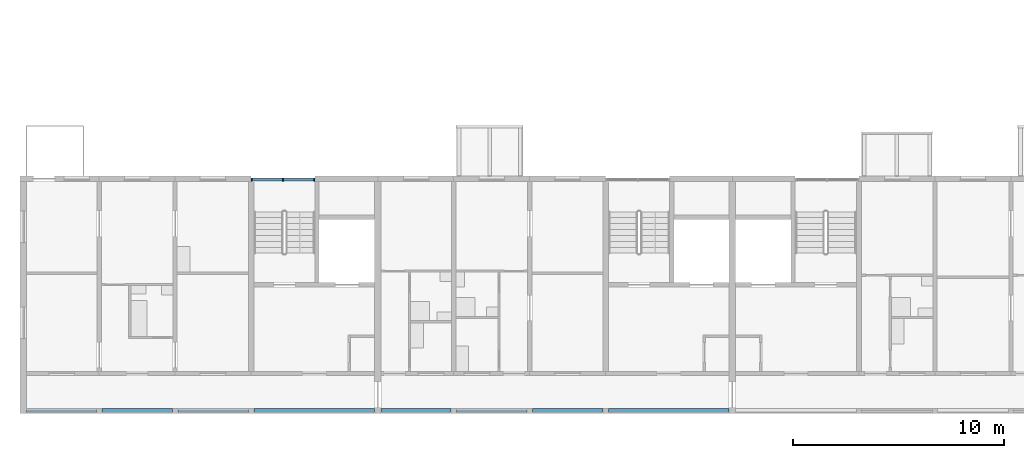
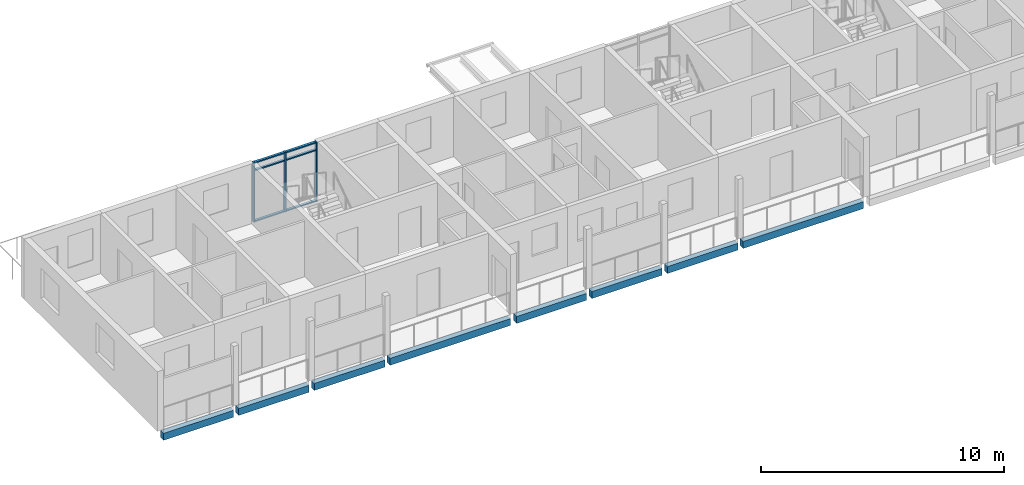
# One storey, part 5 of 94: 9 members, 8 beams, 1 element without a shape of its own.
"""IFC4 building model written with IfcOpenShell, lengths in metres."""

import ifcopenshell
import ifcopenshell.guid

model = None  # the IFC model being written
_history = None  # IfcOwnerHistory: only IFC2X3 demands one
_inside = {}  # id of a spatial element -> (the spatial element, [elements in it])
_under = {}  # id of a project, library or spatial element -> (it, [spatial elements below it])
_declared = {}  # id of a project -> (the project, [libraries it declares])
_typed = {}  # id of a type object -> (the type object, [elements of that type])
_made_of = {}  # id of a material, layer set ... -> (it, [elements and type objects made of it])


def new_model(schema):
    """Start an empty IFC model of exactly this schema.

    Asked for "IFC4X3", IfcOpenShell would pick the latest addendum, in which some entities
    have other attributes; the version numbers below select the first issue.
    IFC2X3 requires an IfcOwnerHistory on every rooted entity: one is made here for all.
    """
    global model, _history
    if schema == "IFC4X3":
        model = ifcopenshell.file(schema_version=(4, 3, 0, 0))
    else:
        model = ifcopenshell.file(schema=schema)
    _inside.clear()
    _under.clear()
    _declared.clear()
    _typed.clear()
    _made_of.clear()
    _history = None
    if model.schema == "IFC2X3":
        org = make("IfcOrganization", Name="unknown")
        user = make(
            "IfcPersonAndOrganization",
            ThePerson=make("IfcPerson", FamilyName="unknown"),
            TheOrganization=org,
        )
        app = make(
            "IfcApplication",
            ApplicationDeveloper=org,
            Version="unknown",
            ApplicationFullName="unknown",
            ApplicationIdentifier="unknown",
        )
        _history = make(
            "IfcOwnerHistory",
            OwningUser=user,
            OwningApplication=app,
            ChangeAction="ADDED",
            CreationDate=0,
        )
    return model


def make(cls, **values):
    """One entity of the class cls with the attributes given. An attribute that is None is left unset."""
    return model.create_entity(
        cls, **{name: value for name, value in values.items() if value is not None}
    )


def rooted(cls, **values):
    """An entity with a GlobalId (a new one), such as an element, a storey or a relation."""
    return make(cls, GlobalId=ifcopenshell.guid.new(), OwnerHistory=_history, **values)


def si_unit(unit_type, name, prefix=None):
    """IfcSIUnit, for example si_unit("LENGTHUNIT", "METRE", prefix="MILLI")."""
    return make("IfcSIUnit", UnitType=unit_type, Prefix=prefix, Name=name)


def assignment(units):
    """IfcUnitAssignment: the units of a project."""
    return None if units is None else make("IfcUnitAssignment", Units=units)


def point(xyz):
    """IfcCartesianPoint."""
    return None if xyz is None else make("IfcCartesianPoint", Coordinates=xyz)


def direction(xyz):
    """IfcDirection."""
    return None if xyz is None else make("IfcDirection", DirectionRatios=xyz)


def frame(location, z_axis=None, x_axis=None):
    """IfcAxis2Placement3D, a coordinate frame: its origin and axes. An axis left out is left unset."""
    return make(
        "IfcAxis2Placement3D",
        Location=point(location),
        Axis=direction(z_axis),
        RefDirection=direction(x_axis),
    )


def frame_2d(location, x_axis=None):
    """IfcAxis2Placement2D, a coordinate frame in the plane: its origin and x axis."""
    return make(
        "IfcAxis2Placement2D", Location=point(location), RefDirection=direction(x_axis)
    )


def origin():
    """The frame at (0, 0, 0) with its axes left unset."""
    return frame((0.0, 0.0, 0.0))


def origin_2d():
    """The frame at (0, 0) in the plane with its x axis left unset."""
    return frame_2d((0.0, 0.0))


def place(relative_to, where):
    """IfcLocalPlacement: puts the frame where relative to a parent placement (None: the world)."""
    return make(
        "IfcLocalPlacement", PlacementRelTo=relative_to, RelativePlacement=where
    )


def context(
    kind, dimensions, precision=None, world=None, true_north=None, identifier=None
):
    """IfcGeometricRepresentationContext, for example the 3D "Model" context."""
    return make(
        "IfcGeometricRepresentationContext",
        ContextIdentifier=identifier,
        ContextType=kind,
        CoordinateSpaceDimension=dimensions,
        Precision=precision,
        WorldCoordinateSystem=world,
        TrueNorth=true_north,
    )


def subcontext(parent, identifier, kind, view, scale=None):
    """IfcGeometricRepresentationSubContext, for example "Body" below "Model"."""
    return make(
        "IfcGeometricRepresentationSubContext",
        ContextIdentifier=identifier,
        ContextType=kind,
        ParentContext=parent,
        TargetScale=scale,
        TargetView=view,
    )


def project(units=None, contexts=None):
    """IfcProject with its units and contexts."""
    return rooted(
        "IfcProject",
        Name="project",
        RepresentationContexts=contexts,
        UnitsInContext=assignment(units),
    )


def spatial(cls, under=None, at=None, **own):
    """A site, building, storey or space (cls), placed at a placement, below another one or the project."""
    s = rooted(cls, ObjectPlacement=at, **own)
    if under is not None:
        _under.setdefault(under.id(), (under, []))[1].append(s)
    return s


def profile(cls, at=None, kind="AREA", **sizes):
    """A parametric profile (cls). Its sizes go by their IFC names, for example OverallWidth=200.0."""
    return make(cls, ProfileType=kind, Position=at, **sizes)


def rectangle(**sizes):
    """IfcRectangleProfileDef."""
    return profile("IfcRectangleProfileDef", **sizes)


def extrude(swept, where, along, depth):
    """IfcExtrudedAreaSolid: the profile swept, set in the frame where, extruded along a direction by depth."""
    return make(
        "IfcExtrudedAreaSolid",
        SweptArea=swept,
        Position=where,
        ExtrudedDirection=direction(along),
        Depth=depth,
    )


def shape(context_of_items, identifier, shape_type, items):
    """IfcShapeRepresentation: the items that make up one representation, for example the "Body"."""
    return make(
        "IfcShapeRepresentation",
        ContextOfItems=context_of_items,
        RepresentationIdentifier=identifier,
        RepresentationType=shape_type,
        Items=items,
    )


def material(Name=None, Category=None):
    """IfcMaterial."""
    return make("IfcMaterial", Name=Name, Category=Category)


def material_profile(
    of_material, cross_section, Name=None, Category=None, Priority=None
):
    """IfcMaterialProfile: a cross section and its material."""
    return make(
        "IfcMaterialProfile",
        Name=Name,
        Material=of_material,
        Profile=cross_section,
        Priority=Priority,
        Category=Category,
    )


def profile_set(profiles, Name=None, composite=None):
    """IfcMaterialProfileSet."""
    return make(
        "IfcMaterialProfileSet",
        Name=Name,
        MaterialProfiles=profiles,
        CompositeProfile=composite,
    )


def made_of(thing, what):
    """Note that an element or type object is made of a material, layer set ...; save() writes the relation."""
    if what is not None:
        _made_of.setdefault(what.id(), (what, []))[1].append(thing)
    return thing


def type_object(cls, material=None, **own):
    """A type object (cls), such as IfcWallType, which elements share."""
    return made_of(rooted(cls, **own), material)


def element(
    cls,
    number,
    at=None,
    inside=None,
    cuts=None,
    type_object=None,
    material=None,
    context=None,
    identifier="Body",
    shape_type=None,
    held_by="IfcProductDefinitionShape",
    body=None,
    shapes=None,
    **own,
):
    """One element of the class cls, such as IfcWall. Its Tag is "e" and its number.

    at: its placement. inside: the storey or other place that contains it. cuts: it is an
    opening in that element (IfcRelVoidsElement). A single representation is given by context,
    identifier, shape_type and body (its items); several are given by shapes. held_by: the class
    of the entity that holds the representations. save() writes the other relations.
    """
    e = rooted(cls, Tag="e%d" % number, ObjectPlacement=at, **own)
    if body is not None:
        shapes = [shape(context, identifier, shape_type, body)]
    if shapes is not None:
        e.Representation = make(held_by, Representations=shapes)
    if inside is not None:
        _inside.setdefault(inside.id(), (inside, []))[1].append(e)
    if cuts is not None:
        rooted(
            "IfcRelVoidsElement", RelatingBuildingElement=cuts, RelatedOpeningElement=e
        )
    if type_object is not None:
        _typed.setdefault(type_object.id(), (type_object, []))[1].append(e)
    return made_of(e, material)


def aggregate(whole, parts):
    """IfcRelAggregates: a whole, such as a stair, and the parts it consists of."""
    return rooted("IfcRelAggregates", RelatingObject=whole, RelatedObjects=parts)


def save(model, path):
    """Write the relations noted so far, then the file.

    IfcRelAggregates (storeys below a building ...), IfcRelContainedInSpatialStructure (elements
    in a storey), IfcRelDefinesByType, IfcRelAssociatesMaterial and IfcRelDeclares: one each for
    every whole, place, type object, material and project.
    """
    for whole, parts in _under.values():
        aggregate(whole, parts)
    for where, things in _inside.values():
        rooted(
            "IfcRelContainedInSpatialStructure",
            RelatedElements=things,
            RelatingStructure=where,
        )
    for kind, things in _typed.values():
        rooted("IfcRelDefinesByType", RelatedObjects=things, RelatingType=kind)
    for what, things in _made_of.values():
        rooted("IfcRelAssociatesMaterial", RelatedObjects=things, RelatingMaterial=what)
    for by, libraries in _declared.values():
        rooted("IfcRelDeclares", RelatingContext=by, RelatedDefinitions=libraries)
    model.write(path)


model = new_model("IFC4")

# Units and contexts
model_context = context("Model", 3, precision=1e-05, world=origin(), true_north=direction((0.0, 1.0)))
body_context = subcontext(model_context, "Body", "Model", "MODEL_VIEW")
ifc_project = project(units=[si_unit("LENGTHUNIT", "METRE"), si_unit("AREAUNIT", "SQUARE_METRE"), si_unit("VOLUMEUNIT", "CUBIC_METRE"), si_unit("PLANEANGLEUNIT", "RADIAN"), si_unit("MASSUNIT", "GRAM", prefix="KILO")], contexts=[model_context])

# Site, building, storey
site_placement = place(None, origin())
site = spatial("IfcSite", under=ifc_project, at=site_placement, CompositionType="ELEMENT")
building_placement = place(site_placement, origin())
building = spatial("IfcBuilding", under=site, at=building_placement, Name="Ridgestep Commons", CompositionType="ELEMENT")
storey_placement = place(building_placement, frame((0.0, 0.0, 24.0)))
storey = spatial("IfcBuildingStorey", under=building, at=storey_placement, Name="L08", CompositionType="ELEMENT", Elevation=24.0)

# Beams
ifc_material_1 = material(Name="Precast concrete C40/50", Category="concrete")
ifc_material_profile_1 = material_profile(ifc_material_1, rectangle(XDim=0.25, YDim=0.35009765625, at=origin_2d()), Name="PC 250x350")
ifc_profile_set_1 = profile_set([ifc_material_profile_1], Name="Precast concrete C40/50")
beam_type = type_object("IfcBeamType", Name="Loggia edge beam 250 x 350", PredefinedType="SPANDREL", material=ifc_profile_set_1)
beam_1_placement = place(storey_placement, frame((12.14990234375, 11.875, -0.375), z_axis=(1.0, 0.0, 0.0), x_axis=(0.0, 1.0, 0.0)))
element("IfcBeam", 1, at=beam_1_placement, inside=storey, type_object=beam_type, Name="Loggia edge beam A1T1 L08", PredefinedType="SPANDREL", context=body_context, shape_type="SweptSolid", body=[
    extrude(rectangle(XDim=0.25, YDim=0.35009765625, at=origin_2d()), origin(), (0.0, 0.0, 1.0), 3.3251953125),
])
beam_2_placement = place(storey_placement, frame((15.72509765625, 11.875, -0.375), z_axis=(1.0, 0.0, 0.0), x_axis=(0.0, 1.0, 0.0)))
element("IfcBeam", 2, at=beam_2_placement, inside=storey, type_object=beam_type, Name="Loggia edge beam A1T2 L08", PredefinedType="SPANDREL", context=body_context, shape_type="SweptSolid", body=[
    extrude(rectangle(XDim=0.25, YDim=0.35009765625, at=origin_2d()), origin(), (0.0, 0.0, 1.0), 3.349853515625),
])
beam_3_placement = place(storey_placement, frame((19.324951171875, 11.875, -0.375), z_axis=(1.0, 0.0, 0.0), x_axis=(0.0, 1.0, 0.0)))
element("IfcBeam", 3, at=beam_3_placement, inside=storey, type_object=beam_type, Name="Loggia edge beam A1T3 L08", PredefinedType="SPANDREL", context=body_context, shape_type="SweptSolid", body=[
    extrude(rectangle(XDim=0.25, YDim=0.35009765625, at=origin_2d()), origin(), (0.0, 0.0, 1.0), 3.35009765625),
])
beam_4_placement = place(storey_placement, frame((22.925048828125, 11.875, -0.375), z_axis=(1.0, 0.0, 0.0), x_axis=(0.0, 1.0, 0.0)))
element("IfcBeam", 4, at=beam_4_placement, inside=storey, type_object=beam_type, Name="Loggia edge beam A1C L08", PredefinedType="SPANDREL", context=body_context, shape_type="SweptSolid", body=[
    extrude(rectangle(XDim=0.25, YDim=0.35009765625, at=origin_2d()), origin(), (0.0, 0.0, 1.0), 5.724853515625),
])
beam_5_placement = place(storey_placement, frame((28.949951171875, 11.875, -0.375), z_axis=(1.0, 0.0, 0.0), x_axis=(0.0, 1.0, 0.0)))
element("IfcBeam", 5, at=beam_5_placement, inside=storey, type_object=beam_type, Name="Loggia edge beam A2T1 L08", PredefinedType="SPANDREL", context=body_context, shape_type="SweptSolid", body=[
    extrude(rectangle(XDim=0.25, YDim=0.35009765625, at=origin_2d()), origin(), (0.0, 0.0, 1.0), 3.324951171875),
])
for number, where, z_axis, x_axis, name in (
    (6, (32.52490234375, 11.875, -0.375), (1.0, 0.0, 0.0), (0.0, 1.0, 0.0), "Loggia edge beam A2T2 L08"),
    (7, (36.125, 11.875, -0.375), (1.0, 0.0, 0.0), (0.0, 1.0, 0.0), "Loggia edge beam A2T3 L08"),
):
    element("IfcBeam", number, at=place(storey_placement, frame(where, z_axis=z_axis, x_axis=x_axis)), inside=storey, type_object=beam_type, Name=name, PredefinedType="SPANDREL", context=body_context, shape_type="SweptSolid", body=[
        extrude(rectangle(XDim=0.25, YDim=0.35009765625, at=origin_2d()), origin(), (0.0, 0.0, 1.0), 3.35009765625),
    ])
beam_6_placement = place(storey_placement, frame((39.72509765625, 11.875, -0.375), z_axis=(1.0, 0.0, 0.0), x_axis=(0.0, 1.0, 0.0)))
element("IfcBeam", 8, at=beam_6_placement, inside=storey, type_object=beam_type, Name="Loggia edge beam A2C L08", PredefinedType="SPANDREL", context=body_context, shape_type="SweptSolid", body=[
    extrude(rectangle(XDim=0.25, YDim=0.35009765625, at=origin_2d()), origin(), (0.0, 0.0, 1.0), 5.724853515625),
])

# Curtain wall, members
ifc_material_2 = material(Name="Aluminium 6063-T6 and glass", Category="aluminium")
curtain_wall_type = type_object("IfcCurtainWallType", Name="Curtain wall stair strip", PredefinedType="NOTDEFINED", material=ifc_material_2)
curtain_wall_placement = place(storey_placement, origin())
curtain_wall = element("IfcCurtainWall", 9, at=curtain_wall_placement, inside=storey, type_object=curtain_wall_type, Name="Curtain wall A1C level 08", PredefinedType="NOTDEFINED")
ifc_material_3 = material(Name="Aluminium 6063-T6", Category="aluminium")
ifc_material_profile_2 = material_profile(ifc_material_3, rectangle(XDim=0.159912109375, YDim=0.06005859375, at=origin_2d()), Name="Mullion 60 x 160")
ifc_profile_set_2 = profile_set([ifc_material_profile_2], Name="Aluminium 6063-T6")
member_type_1 = type_object("IfcMemberType", Name="Mullion 60 x 160", PredefinedType="MULLION", material=ifc_profile_set_2)
member_1_placement = place(storey_placement, frame((22.830078125, 22.830078125, 0.0), z_axis=(0.0, 0.0, 1.0), x_axis=(0.0, 1.0, 0.0)))
member_1 = element("IfcMember", 10, at=member_1_placement, type_object=member_type_1, Name="CW1 mullion 1", PredefinedType="MULLION", context=body_context, shape_type="SweptSolid", body=[
    extrude(rectangle(XDim=0.159912109375, YDim=0.06005859375, at=origin_2d()), origin(), (0.0, 0.0, 1.0), 3.0),
])
member_2_placement = place(storey_placement, frame((24.3125, 22.830078125, 0.0), z_axis=(0.0, 0.0, 1.0), x_axis=(0.0, 1.0, 0.0)))
member_2 = element("IfcMember", 11, at=member_2_placement, type_object=member_type_1, Name="CW1 mullion 2", PredefinedType="MULLION", context=body_context, shape_type="SweptSolid", body=[
    extrude(rectangle(XDim=0.159912109375, YDim=0.06005859375, at=origin_2d()), origin(), (0.0, 0.0, 1.0), 3.0),
])
member_3_placement = place(storey_placement, frame((25.794921875, 22.830078125, 0.0), z_axis=(0.0, 0.0, 1.0), x_axis=(0.0, 1.0, 0.0)))
member_3 = element("IfcMember", 12, at=member_3_placement, type_object=member_type_1, Name="CW1 mullion 3", PredefinedType="MULLION", context=body_context, shape_type="SweptSolid", body=[
    extrude(rectangle(XDim=0.159912109375, YDim=0.06005859375, at=origin_2d()), origin(), (0.0, 0.0, 1.0), 3.0),
])
ifc_material_4 = material(Name="Aluminium 6063-T6", Category="aluminium")
ifc_material_profile_3 = material_profile(ifc_material_4, rectangle(XDim=0.1201171875, YDim=0.06005859375, at=origin_2d()), Name="Transom 60 x 120")
ifc_profile_set_3 = profile_set([ifc_material_profile_3], Name="Aluminium 6063-T6")
member_type_2 = type_object("IfcMemberType", Name="Transom 60 x 120", PredefinedType="USERDEFINED", material=ifc_profile_set_3)
member_4_placement = place(storey_placement, frame((22.860107421875, 22.830078125, 0.030029296875), z_axis=(1.0, 0.0, 0.0), x_axis=(0.0, 1.0, 0.0)))
member_4 = element("IfcMember", 13, at=member_4_placement, type_object=member_type_2, Name="CW1 transom 1.1", ObjectType="TRANSOM", PredefinedType="USERDEFINED", context=body_context, shape_type="SweptSolid", body=[
    extrude(rectangle(XDim=0.1201171875, YDim=0.06005859375, at=origin_2d()), origin(), (0.0, 0.0, 1.0), 1.42236328125),
])
member_5_placement = place(storey_placement, frame((22.860107421875, 22.830078125, 2.590087890625), z_axis=(1.0, 0.0, 0.0), x_axis=(0.0, 1.0, 0.0)))
member_5 = element("IfcMember", 14, at=member_5_placement, type_object=member_type_2, Name="CW1 transom 1.2", ObjectType="TRANSOM", PredefinedType="USERDEFINED", context=body_context, shape_type="SweptSolid", body=[
    extrude(rectangle(XDim=0.1201171875, YDim=0.06005859375, at=origin_2d()), origin(), (0.0, 0.0, 1.0), 1.42236328125),
])
member_6_placement = place(storey_placement, frame((22.860107421875, 22.830078125, 2.969970703125), z_axis=(1.0, 0.0, 0.0), x_axis=(0.0, 1.0, 0.0)))
member_6 = element("IfcMember", 15, at=member_6_placement, type_object=member_type_2, Name="CW1 transom 1.3", ObjectType="TRANSOM", PredefinedType="USERDEFINED", context=body_context, shape_type="SweptSolid", body=[
    extrude(rectangle(XDim=0.1201171875, YDim=0.06005859375, at=origin_2d()), origin(), (0.0, 0.0, 1.0), 1.42236328125),
])
member_7_placement = place(storey_placement, frame((24.342529296875, 22.830078125, 0.030029296875), z_axis=(1.0, 0.0, 0.0), x_axis=(0.0, 1.0, 0.0)))
member_7 = element("IfcMember", 16, at=member_7_placement, type_object=member_type_2, Name="CW1 transom 2.1", ObjectType="TRANSOM", PredefinedType="USERDEFINED", context=body_context, shape_type="SweptSolid", body=[
    extrude(rectangle(XDim=0.1201171875, YDim=0.06005859375, at=origin_2d()), origin(), (0.0, 0.0, 1.0), 1.42236328125),
])
member_8_placement = place(storey_placement, frame((24.342529296875, 22.830078125, 2.590087890625), z_axis=(1.0, 0.0, 0.0), x_axis=(0.0, 1.0, 0.0)))
member_8 = element("IfcMember", 17, at=member_8_placement, type_object=member_type_2, Name="CW1 transom 2.2", ObjectType="TRANSOM", PredefinedType="USERDEFINED", context=body_context, shape_type="SweptSolid", body=[
    extrude(rectangle(XDim=0.1201171875, YDim=0.06005859375, at=origin_2d()), origin(), (0.0, 0.0, 1.0), 1.42236328125),
])
member_9_placement = place(storey_placement, frame((24.342529296875, 22.830078125, 2.969970703125), z_axis=(1.0, 0.0, 0.0), x_axis=(0.0, 1.0, 0.0)))
member_9 = element("IfcMember", 18, at=member_9_placement, type_object=member_type_2, Name="CW1 transom 2.3", ObjectType="TRANSOM", PredefinedType="USERDEFINED", context=body_context, shape_type="SweptSolid", body=[
    extrude(rectangle(XDim=0.1201171875, YDim=0.06005859375, at=origin_2d()), origin(), (0.0, 0.0, 1.0), 1.42236328125),
])
aggregate(curtain_wall, [member_1, member_2, member_3, member_4, member_5, member_6, member_7, member_8, member_9])

save(model, "model.ifc")
